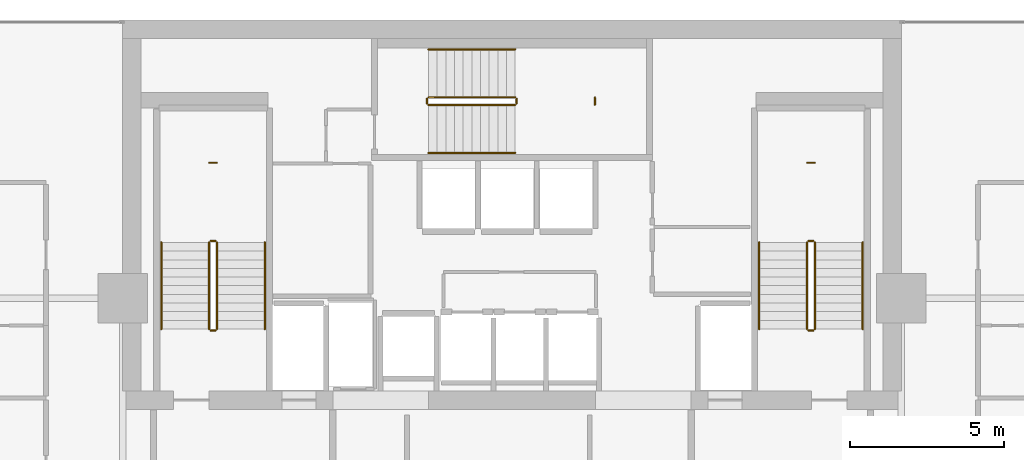
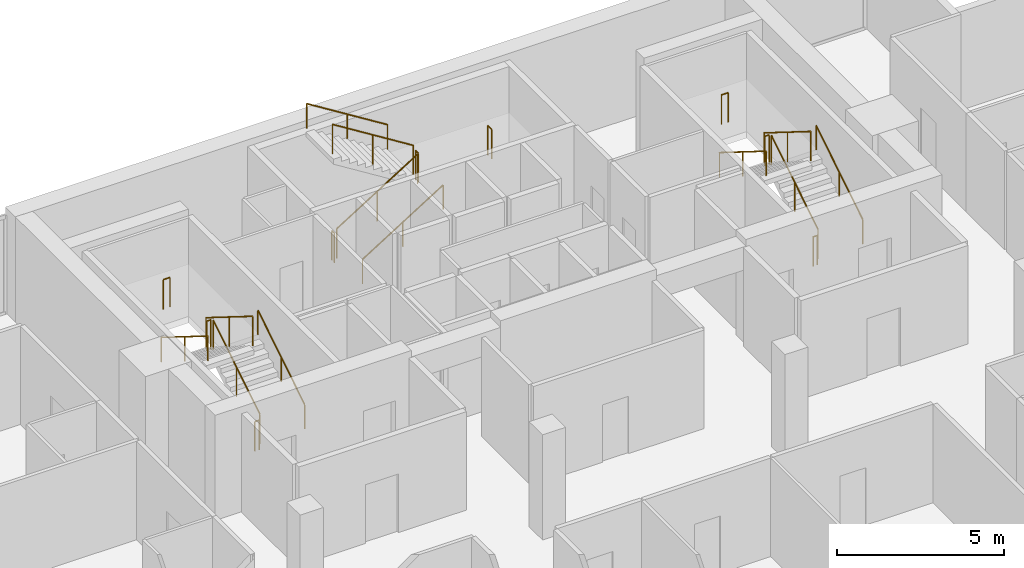
# One storey, part 26 of 26: 21 railings.
"""IFC4 building model written with IfcOpenShell, lengths in metres."""

from ifc_helpers import new_model, si_unit, direction, frame, origin, origin_2d, place, context, subcontext, project, spatial, circle, extrude, material, type_object, element, save


model = new_model("IFC4")

# Units and contexts
model_context = context("Model", 3, precision=1e-05, world=origin(), true_north=direction((0.0, 1.0)))
body_context = subcontext(model_context, "Body", "Model", "MODEL_VIEW")
ifc_project = project(units=[si_unit("LENGTHUNIT", "METRE"), si_unit("AREAUNIT", "SQUARE_METRE"), si_unit("VOLUMEUNIT", "CUBIC_METRE"), si_unit("PLANEANGLEUNIT", "RADIAN"), si_unit("MASSUNIT", "GRAM", prefix="KILO")], contexts=[model_context])

# Site, building, storey
site_placement = place(None, origin())
site = spatial("IfcSite", under=ifc_project, at=site_placement, CompositionType="ELEMENT")
building_placement = place(site_placement, origin())
building = spatial("IfcBuilding", under=site, at=building_placement, Name="Maruvema Waterfront Hotel and Observation Tower", CompositionType="ELEMENT")
storey_placement = place(building_placement, frame((0.0, 0.0, 258.64990234375)))
storey = spatial("IfcBuildingStorey", under=building, at=storey_placement, Name="L63", CompositionType="ELEMENT", Elevation=258.64990234375)

# Railings
ifc_material_1 = material(Name="Brushed stainless steel Grade 316", Category="steel")
railing_type_1 = type_object("IfcRailingType", Name="Ramp Continuous Wall Handrail 920 mm", PredefinedType="HANDRAIL", material=ifc_material_1)
railing_1_placement = place(storey_placement, frame((29.800048828125, 44.0, 0.175048828125)))
element("IfcRailing", 1, at=railing_1_placement, inside=storey, type_object=railing_type_1, Name="L63 ST-01 stair handrail 1", PredefinedType="HANDRAIL", context=body_context, shape_type="SweptSolid", body=[
    extrude(circle(Radius=0.02392578125, at=origin_2d()), frame((0.0, 0.0, 0.89599609375), z_axis=(0.0, 0.848002457836, 0.529992293815), x_axis=(-1.0, 0.0, 0.0)), (0.0, 0.0, 1.0), 3.302001953125),
    extrude(circle(Radius=0.02099609375, at=origin_2d()), origin(), (0.0, 0.0, 1.0), 0.871826171875),
    extrude(circle(Radius=0.02099609375, at=origin_2d()), frame((0.0, 1.39990234375, 0.875)), (0.0, 0.0, 1.0), 0.871826171875),
    extrude(circle(Radius=0.02099609375, at=origin_2d()), frame((0.0, 2.800048828125, 1.75)), (0.0, 0.0, 1.0), 0.871826171875),
])
railing_2_placement = place(storey_placement, frame((26.449951171875, 46.800048828125, 2.10009765625)))
element("IfcRailing", 2, at=railing_2_placement, inside=storey, type_object=railing_type_1, Name="L63 ST-01 stair handrail 2", PredefinedType="HANDRAIL", context=body_context, shape_type="SweptSolid", body=[
    extrude(circle(Radius=0.02392578125, at=origin_2d()), frame((0.0, 0.0, 0.89599609375), z_axis=(0.0, -0.848002457836, 0.529992293815), x_axis=(1.0, 0.0, 0.0)), (0.0, 0.0, 1.0), 3.302001953125),
    extrude(circle(Radius=0.02099609375, at=origin_2d()), origin(), (0.0, 0.0, 1.0), 0.871826171875),
    extrude(circle(Radius=0.02099609375, at=origin_2d()), frame((0.0, -1.39990234375, 0.875)), (0.0, 0.0, 1.0), 0.871826171875),
    extrude(circle(Radius=0.02099609375, at=origin_2d()), frame((0.0, -2.800048828125, 1.75)), (0.0, 0.0, 1.0), 0.871826171875),
])
railing_3_placement = place(storey_placement, frame((35.10009765625, 49.699951171875, 0.175048828125)))
element("IfcRailing", 3, at=railing_3_placement, inside=storey, type_object=railing_type_1, Name="L63 ST-02 stair handrail 1", PredefinedType="HANDRAIL", context=body_context, shape_type="SweptSolid", body=[
    extrude(circle(Radius=0.02392578125, at=origin_2d()), frame((0.0, 0.0, 0.89599609375), z_axis=(0.847981687118, 0.0, 0.530025526095), x_axis=(0.0, 1.0, 0.0)), (0.0, 0.0, 1.0), 3.3017578125),
    extrude(circle(Radius=0.02099609375, at=origin_2d()), origin(), (0.0, 0.0, 1.0), 0.871826171875),
    extrude(circle(Radius=0.02099609375, at=origin_2d()), frame((1.39990234375, 0.0, 0.875)), (0.0, 0.0, 1.0), 0.871826171875),
    extrude(circle(Radius=0.02099609375, at=origin_2d()), frame((2.7998046875, 0.0, 1.75)), (0.0, 0.0, 1.0), 0.871826171875),
])
railing_4_placement = place(storey_placement, frame((37.89990234375, 53.050048828125, 2.10009765625)))
element("IfcRailing", 4, at=railing_4_placement, inside=storey, type_object=railing_type_1, Name="L63 ST-02 stair handrail 2", PredefinedType="HANDRAIL", context=body_context, shape_type="SweptSolid", body=[
    extrude(circle(Radius=0.02392578125, at=origin_2d()), frame((0.0, 0.0, 0.89599609375), z_axis=(-0.847981687118, 0.0, 0.530025526095), x_axis=(0.0, -1.0, 0.0)), (0.0, 0.0, 1.0), 3.3017578125),
    extrude(circle(Radius=0.02099609375, at=origin_2d()), origin(), (0.0, 0.0, 1.0), 0.871826171875),
    extrude(circle(Radius=0.02099609375, at=origin_2d()), frame((-1.39990234375, 0.0, 0.875)), (0.0, 0.0, 1.0), 0.871826171875),
    extrude(circle(Radius=0.02099609375, at=origin_2d()), frame((-2.7998046875, 0.0, 1.75)), (0.0, 0.0, 1.0), 0.871826171875),
])
railing_5_placement = place(storey_placement, frame((49.14990234375, 44.0, 0.175048828125)))
element("IfcRailing", 5, at=railing_5_placement, inside=storey, type_object=railing_type_1, Name="L63 ST-03 stair handrail 1", PredefinedType="HANDRAIL", context=body_context, shape_type="SweptSolid", body=[
    extrude(circle(Radius=0.02392578125, at=origin_2d()), frame((0.0, 0.0, 0.89599609375), z_axis=(0.0, 0.848002457836, 0.529992293815), x_axis=(-1.0, 0.0, 0.0)), (0.0, 0.0, 1.0), 3.302001953125),
    extrude(circle(Radius=0.02099609375, at=origin_2d()), origin(), (0.0, 0.0, 1.0), 0.871826171875),
    extrude(circle(Radius=0.02099609375, at=origin_2d()), frame((0.0, 1.39990234375, 0.875)), (0.0, 0.0, 1.0), 0.871826171875),
    extrude(circle(Radius=0.02099609375, at=origin_2d()), frame((0.0, 2.800048828125, 1.75)), (0.0, 0.0, 1.0), 0.871826171875),
])
railing_6_placement = place(storey_placement, frame((45.800048828125, 46.800048828125, 2.10009765625)))
element("IfcRailing", 6, at=railing_6_placement, inside=storey, type_object=railing_type_1, Name="L63 ST-03 stair handrail 2", PredefinedType="HANDRAIL", context=body_context, shape_type="SweptSolid", body=[
    extrude(circle(Radius=0.02392578125, at=origin_2d()), frame((0.0, 0.0, 0.89599609375), z_axis=(0.0, -0.848002457836, 0.529992293815), x_axis=(1.0, 0.0, 0.0)), (0.0, 0.0, 1.0), 3.302001953125),
    extrude(circle(Radius=0.02099609375, at=origin_2d()), origin(), (0.0, 0.0, 1.0), 0.871826171875),
    extrude(circle(Radius=0.02099609375, at=origin_2d()), frame((0.0, -1.39990234375, 0.875)), (0.0, 0.0, 1.0), 0.871826171875),
    extrude(circle(Radius=0.02099609375, at=origin_2d()), frame((0.0, -2.800048828125, 1.75)), (0.0, 0.0, 1.0), 0.871826171875),
])
ifc_material_2 = material(Name="Brushed stainless steel Grade 316", Category="steel")
railing_type_2 = type_object("IfcRailingType", Name="Ramp and Terrace Guard Balustrade 1100 mm", PredefinedType="BALUSTRADE", material=ifc_material_2)
railing_7_placement = place(storey_placement, frame((28.25, 44.0, 0.175048828125)))
element("IfcRailing", 7, at=railing_7_placement, inside=storey, type_object=railing_type_2, Name="L63 ST-01 stair guard 1", PredefinedType="BALUSTRADE", context=body_context, shape_type="SweptSolid", body=[
    extrude(circle(Radius=0.02392578125, at=origin_2d()), frame((0.0, 0.0, 1.076171875), z_axis=(0.0, 0.848002457836, 0.529992293815), x_axis=(-1.0, 0.0, 0.0)), (0.0, 0.0, 1.0), 3.302001953125),
    extrude(circle(Radius=0.02099609375, at=origin_2d()), origin(), (0.0, 0.0, 1.0), 1.052001953125),
    extrude(circle(Radius=0.02099609375, at=origin_2d()), frame((0.0, 1.39990234375, 0.875)), (0.0, 0.0, 1.0), 1.052001953125),
    extrude(circle(Radius=0.02099609375, at=origin_2d()), frame((0.0, 2.800048828125, 1.75)), (0.0, 0.0, 1.0), 1.052001953125),
])
railing_8_placement = place(storey_placement, frame((28.199951171875, 46.85009765625, 1.925048828125)))
element("IfcRailing", 8, at=railing_8_placement, inside=storey, type_object=railing_type_2, Name="L63 ST-01 stair guard 2", PredefinedType="BALUSTRADE", context=body_context, shape_type="SweptSolid", body=[
    extrude(circle(Radius=0.02392578125, at=origin_2d()), frame((0.0, 0.0, 1.076171875), z_axis=(-1.0, 0.0, 0.0), x_axis=(0.0, -1.0, 0.0)), (0.0, 0.0, 1.0), 0.14990234375),
    extrude(circle(Radius=0.02099609375, at=origin_2d()), origin(), (0.0, 0.0, 1.0), 1.052001953125),
    extrude(circle(Radius=0.02099609375, at=origin_2d()), frame((-0.14990234375, 0.0, 0.0)), (0.0, 0.0, 1.0), 1.052001953125),
])
railing_9_placement = place(storey_placement, frame((28.0, 46.800048828125, 2.10009765625)))
element("IfcRailing", 9, at=railing_9_placement, inside=storey, type_object=railing_type_2, Name="L63 ST-01 stair guard 3", PredefinedType="BALUSTRADE", context=body_context, shape_type="SweptSolid", body=[
    extrude(circle(Radius=0.02392578125, at=origin_2d()), frame((0.0, 0.0, 1.076171875), z_axis=(0.0, -0.848002457836, 0.529992293815), x_axis=(1.0, 0.0, 0.0)), (0.0, 0.0, 1.0), 3.302001953125),
    extrude(circle(Radius=0.02099609375, at=origin_2d()), origin(), (0.0, 0.0, 1.0), 1.052001953125),
    extrude(circle(Radius=0.02099609375, at=origin_2d()), frame((0.0, -1.39990234375, 0.875)), (0.0, 0.0, 1.0), 1.052001953125),
    extrude(circle(Radius=0.02099609375, at=origin_2d()), frame((0.0, -2.800048828125, 1.75)), (0.0, 0.0, 1.0), 1.052001953125),
])
railing_10_placement = place(storey_placement, frame((28.199951171875, 43.949951171875, 0.0)))
element("IfcRailing", 10, at=railing_10_placement, inside=storey, type_object=railing_type_2, Name="L63 ST-01 stair guard 4", PredefinedType="BALUSTRADE", context=body_context, shape_type="SweptSolid", body=[
    extrude(circle(Radius=0.02392578125, at=origin_2d()), frame((0.0, 0.0, 1.076171875), z_axis=(-1.0, 0.0, 0.0), x_axis=(0.0, -1.0, 0.0)), (0.0, 0.0, 1.0), 0.14990234375),
    extrude(circle(Radius=0.02099609375, at=origin_2d()), origin(), (0.0, 0.0, 1.0), 1.052001953125),
    extrude(circle(Radius=0.02099609375, at=origin_2d()), frame((-0.14990234375, 0.0, 0.0)), (0.0, 0.0, 1.0), 1.052001953125),
])
railing_11_placement = place(storey_placement, frame((28.239990234375, 49.3798828125, 1.925048828125)))
element("IfcRailing", 11, at=railing_11_placement, inside=storey, type_object=railing_type_2, Name="L63 ST-01 Half-Landing Slot Guard", PredefinedType="BALUSTRADE", context=body_context, shape_type="SweptSolid", body=[
    extrude(circle(Radius=0.02392578125, at=origin_2d()), frame((0.0, 0.0, 1.076171875), z_axis=(-1.0, 0.0, 0.0), x_axis=(0.0, -1.0, 0.0)), (0.0, 0.0, 1.0), 0.22998046875),
    extrude(circle(Radius=0.02099609375, at=origin_2d()), origin(), (0.0, 0.0, 1.0), 1.052001953125),
    extrude(circle(Radius=0.02099609375, at=origin_2d()), frame((-0.22998046875, 0.0, 0.0)), (0.0, 0.0, 1.0), 1.052001953125),
])
railing_12_placement = place(storey_placement, frame((35.10009765625, 51.25, 0.175048828125)))
element("IfcRailing", 12, at=railing_12_placement, inside=storey, type_object=railing_type_2, Name="L63 ST-02 stair guard 1", PredefinedType="BALUSTRADE", context=body_context, shape_type="SweptSolid", body=[
    extrude(circle(Radius=0.02392578125, at=origin_2d()), frame((0.0, 0.0, 1.076171875), z_axis=(0.847981687118, 0.0, 0.530025526095), x_axis=(0.0, 1.0, 0.0)), (0.0, 0.0, 1.0), 3.3017578125),
    extrude(circle(Radius=0.02099609375, at=origin_2d()), origin(), (0.0, 0.0, 1.0), 1.052001953125),
    extrude(circle(Radius=0.02099609375, at=origin_2d()), frame((1.39990234375, 0.0, 0.875)), (0.0, 0.0, 1.0), 1.052001953125),
    extrude(circle(Radius=0.02099609375, at=origin_2d()), frame((2.7998046875, 0.0, 1.75)), (0.0, 0.0, 1.0), 1.052001953125),
])
railing_13_placement = place(storey_placement, frame((37.949951171875, 51.300048828125, 1.925048828125)))
element("IfcRailing", 13, at=railing_13_placement, inside=storey, type_object=railing_type_2, Name="L63 ST-02 stair guard 2", PredefinedType="BALUSTRADE", context=body_context, shape_type="SweptSolid", body=[
    extrude(circle(Radius=0.02392578125, at=origin_2d()), frame((0.0, 0.0, 1.076171875), z_axis=(0.0, 1.0, 0.0), x_axis=(-1.0, 0.0, 0.0)), (0.0, 0.0, 1.0), 0.14990234375),
    extrude(circle(Radius=0.02099609375, at=origin_2d()), origin(), (0.0, 0.0, 1.0), 1.052001953125),
    extrude(circle(Radius=0.02099609375, at=origin_2d()), frame((0.0, 0.14990234375, 0.0)), (0.0, 0.0, 1.0), 1.052001953125),
])
railing_14_placement = place(storey_placement, frame((37.89990234375, 51.5, 2.10009765625)))
element("IfcRailing", 14, at=railing_14_placement, inside=storey, type_object=railing_type_2, Name="L63 ST-02 stair guard 3", PredefinedType="BALUSTRADE", context=body_context, shape_type="SweptSolid", body=[
    extrude(circle(Radius=0.02392578125, at=origin_2d()), frame((0.0, 0.0, 1.076171875), z_axis=(-0.847981687118, 0.0, 0.530025526095), x_axis=(0.0, -1.0, 0.0)), (0.0, 0.0, 1.0), 3.3017578125),
    extrude(circle(Radius=0.02099609375, at=origin_2d()), origin(), (0.0, 0.0, 1.0), 1.052001953125),
    extrude(circle(Radius=0.02099609375, at=origin_2d()), frame((-1.39990234375, 0.0, 0.875)), (0.0, 0.0, 1.0), 1.052001953125),
    extrude(circle(Radius=0.02099609375, at=origin_2d()), frame((-2.7998046875, 0.0, 1.75)), (0.0, 0.0, 1.0), 1.052001953125),
])
railing_15_placement = place(storey_placement, frame((35.050048828125, 51.300048828125, 0.0)))
element("IfcRailing", 15, at=railing_15_placement, inside=storey, type_object=railing_type_2, Name="L63 ST-02 stair guard 4", PredefinedType="BALUSTRADE", context=body_context, shape_type="SweptSolid", body=[
    extrude(circle(Radius=0.02392578125, at=origin_2d()), frame((0.0, 0.0, 1.076171875), z_axis=(0.0, 1.0, 0.0), x_axis=(-1.0, 0.0, 0.0)), (0.0, 0.0, 1.0), 0.14990234375),
    extrude(circle(Radius=0.02099609375, at=origin_2d()), origin(), (0.0, 0.0, 1.0), 1.052001953125),
    extrude(circle(Radius=0.02099609375, at=origin_2d()), frame((0.0, 0.14990234375, 0.0)), (0.0, 0.0, 1.0), 1.052001953125),
])
railing_16_placement = place(storey_placement, frame((40.47998046875, 51.260009765625, 1.925048828125)))
element("IfcRailing", 16, at=railing_16_placement, inside=storey, type_object=railing_type_2, Name="L63 ST-02 Half-Landing Slot Guard", PredefinedType="BALUSTRADE", context=body_context, shape_type="SweptSolid", body=[
    extrude(circle(Radius=0.02392578125, at=origin_2d()), frame((0.0, 0.0, 1.076171875), z_axis=(0.0, 1.0, 0.0), x_axis=(-1.0, 0.0, 0.0)), (0.0, 0.0, 1.0), 0.22998046875),
    extrude(circle(Radius=0.02099609375, at=origin_2d()), origin(), (0.0, 0.0, 1.0), 1.052001953125),
    extrude(circle(Radius=0.02099609375, at=origin_2d()), frame((0.0, 0.22998046875, 0.0)), (0.0, 0.0, 1.0), 1.052001953125),
])
railing_17_placement = place(storey_placement, frame((47.60009765625, 44.0, 0.175048828125)))
element("IfcRailing", 17, at=railing_17_placement, inside=storey, type_object=railing_type_2, Name="L63 ST-03 stair guard 1", PredefinedType="BALUSTRADE", context=body_context, shape_type="SweptSolid", body=[
    extrude(circle(Radius=0.02392578125, at=origin_2d()), frame((0.0, 0.0, 1.076171875), z_axis=(0.0, 0.848002457836, 0.529992293815), x_axis=(-1.0, 0.0, 0.0)), (0.0, 0.0, 1.0), 3.302001953125),
    extrude(circle(Radius=0.02099609375, at=origin_2d()), origin(), (0.0, 0.0, 1.0), 1.052001953125),
    extrude(circle(Radius=0.02099609375, at=origin_2d()), frame((0.0, 1.39990234375, 0.875)), (0.0, 0.0, 1.0), 1.052001953125),
    extrude(circle(Radius=0.02099609375, at=origin_2d()), frame((0.0, 2.800048828125, 1.75)), (0.0, 0.0, 1.0), 1.052001953125),
])
railing_18_placement = place(storey_placement, frame((47.550048828125, 46.85009765625, 1.925048828125)))
element("IfcRailing", 18, at=railing_18_placement, inside=storey, type_object=railing_type_2, Name="L63 ST-03 stair guard 2", PredefinedType="BALUSTRADE", context=body_context, shape_type="SweptSolid", body=[
    extrude(circle(Radius=0.02392578125, at=origin_2d()), frame((0.0, 0.0, 1.076171875), z_axis=(-1.0, 0.0, 0.0), x_axis=(0.0, -1.0, 0.0)), (0.0, 0.0, 1.0), 0.150146484375),
    extrude(circle(Radius=0.02099609375, at=origin_2d()), origin(), (0.0, 0.0, 1.0), 1.052001953125),
    extrude(circle(Radius=0.02099609375, at=origin_2d()), frame((-0.150146484375, 0.0, 0.0)), (0.0, 0.0, 1.0), 1.052001953125),
])
railing_19_placement = place(storey_placement, frame((47.35009765625, 46.800048828125, 2.10009765625)))
element("IfcRailing", 19, at=railing_19_placement, inside=storey, type_object=railing_type_2, Name="L63 ST-03 stair guard 3", PredefinedType="BALUSTRADE", context=body_context, shape_type="SweptSolid", body=[
    extrude(circle(Radius=0.02392578125, at=origin_2d()), frame((0.0, 0.0, 1.076171875), z_axis=(0.0, -0.848002457836, 0.529992293815), x_axis=(1.0, 0.0, 0.0)), (0.0, 0.0, 1.0), 3.302001953125),
    extrude(circle(Radius=0.02099609375, at=origin_2d()), origin(), (0.0, 0.0, 1.0), 1.052001953125),
    extrude(circle(Radius=0.02099609375, at=origin_2d()), frame((0.0, -1.39990234375, 0.875)), (0.0, 0.0, 1.0), 1.052001953125),
    extrude(circle(Radius=0.02099609375, at=origin_2d()), frame((0.0, -2.800048828125, 1.75)), (0.0, 0.0, 1.0), 1.052001953125),
])
railing_20_placement = place(storey_placement, frame((47.550048828125, 43.949951171875, 0.0)))
element("IfcRailing", 20, at=railing_20_placement, inside=storey, type_object=railing_type_2, Name="L63 ST-03 stair guard 4", PredefinedType="BALUSTRADE", context=body_context, shape_type="SweptSolid", body=[
    extrude(circle(Radius=0.02392578125, at=origin_2d()), frame((0.0, 0.0, 1.076171875), z_axis=(-1.0, 0.0, 0.0), x_axis=(0.0, -1.0, 0.0)), (0.0, 0.0, 1.0), 0.150146484375),
    extrude(circle(Radius=0.02099609375, at=origin_2d()), origin(), (0.0, 0.0, 1.0), 1.052001953125),
    extrude(circle(Radius=0.02099609375, at=origin_2d()), frame((-0.150146484375, 0.0, 0.0)), (0.0, 0.0, 1.0), 1.052001953125),
])
railing_21_placement = place(storey_placement, frame((47.590087890625, 49.3798828125, 1.925048828125)))
element("IfcRailing", 21, at=railing_21_placement, inside=storey, type_object=railing_type_2, Name="L63 ST-03 Half-Landing Slot Guard", PredefinedType="BALUSTRADE", context=body_context, shape_type="SweptSolid", body=[
    extrude(circle(Radius=0.02392578125, at=origin_2d()), frame((0.0, 0.0, 1.076171875), z_axis=(-1.0, 0.0, 0.0), x_axis=(0.0, -1.0, 0.0)), (0.0, 0.0, 1.0), 0.22998046875),
    extrude(circle(Radius=0.02099609375, at=origin_2d()), origin(), (0.0, 0.0, 1.0), 1.052001953125),
    extrude(circle(Radius=0.02099609375, at=origin_2d()), frame((-0.22998046875, 0.0, 0.0)), (0.0, 0.0, 1.0), 1.052001953125),
])

save(model, "model.ifc")
